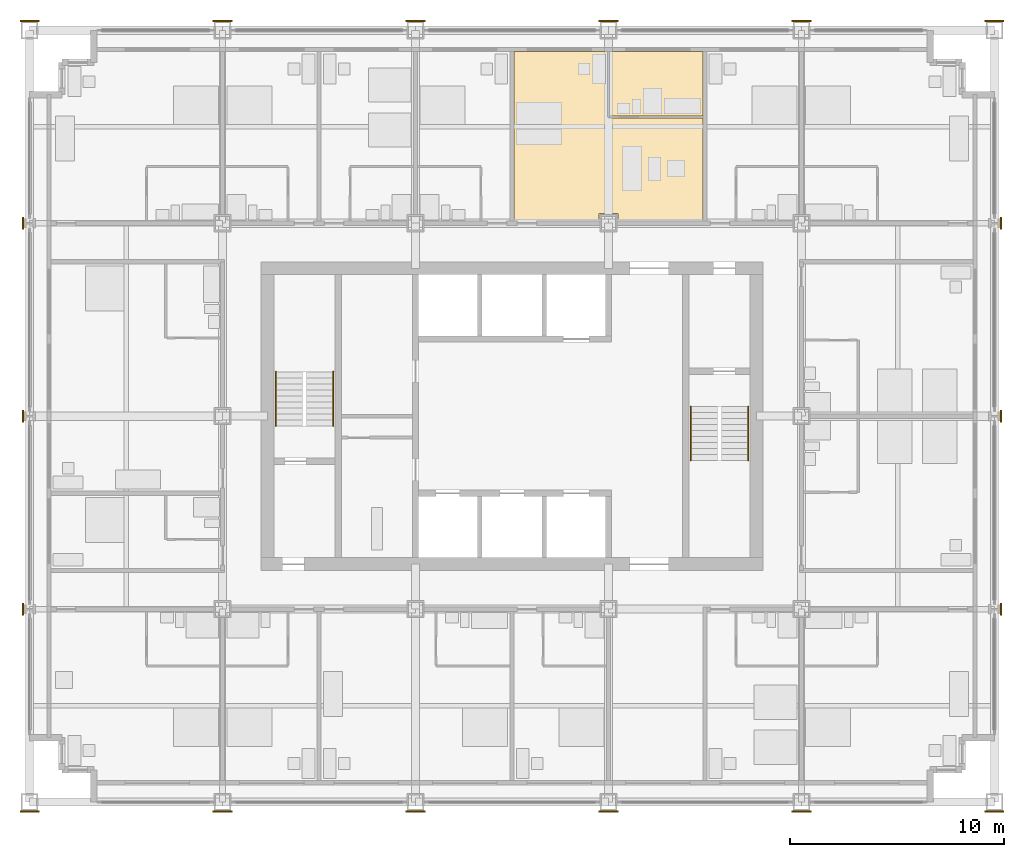
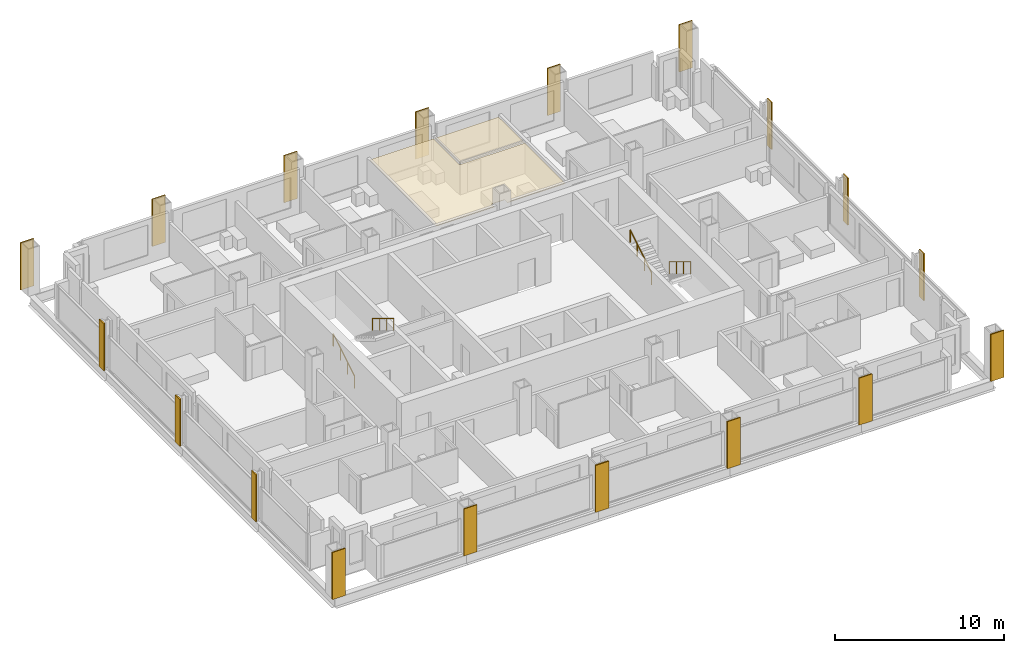
# One storey, part 14 of 16: 20 coverings, 4 railings.
"""IFC4 building model written with IfcOpenShell, lengths in metres."""

from ifc_helpers import new_model, si_unit, direction, frame, origin, origin_2d, place, context, subcontext, project, spatial, polyline, rectangle, circle, outline, extrude, material, layer, layer_set, type_object, element, save


model = new_model("IFC4")

# Units and contexts
model_context = context("Model", 3, precision=1e-05, world=origin(), true_north=direction((0.0, 1.0)))
body_context = subcontext(model_context, "Body", "Model", "MODEL_VIEW")
ifc_project = project(units=[si_unit("LENGTHUNIT", "METRE"), si_unit("AREAUNIT", "SQUARE_METRE"), si_unit("VOLUMEUNIT", "CUBIC_METRE"), si_unit("PLANEANGLEUNIT", "RADIAN"), si_unit("MASSUNIT", "GRAM", prefix="KILO")], contexts=[model_context])

# Site, building, storey
site_placement = place(None, origin())
site = spatial("IfcSite", under=ifc_project, at=site_placement, CompositionType="ELEMENT")
building_placement = place(site_placement, origin())
building = spatial("IfcBuilding", under=site, at=building_placement, Name="Loomwork Tower", CompositionType="ELEMENT")
storey_placement = place(building_placement, frame((0.0, 0.0, 101.0)))
storey = spatial("IfcBuildingStorey", under=building, at=storey_placement, Name="L26", CompositionType="ELEMENT", Elevation=101.0)

# Railings
ifc_material_1 = material(Name="Stainless steel handrail", Category="steel")
railing_type = type_object("IfcRailingType", Name="Handrail 900", PredefinedType="HANDRAIL", material=ifc_material_1)
railing_1_placement = place(storey_placement, frame((11.485107421875, 17.550048828125, 0.169921875)))
element("IfcRailing", 1, at=railing_1_placement, inside=storey, type_object=railing_type, Name="Stair A handrail flight 1 L26", PredefinedType="HANDRAIL", context=body_context, shape_type="SweptSolid", body=[
    extrude(circle(Radius=0.02392578125, at=origin_2d()), frame((0.0, 0.0, 0.8759765625), z_axis=(0.0, 0.85478489116, 0.518982456201), x_axis=(-1.0, 0.0, 0.0)), (0.0, 0.0, 1.0), 2.9482421875),
    extrude(circle(Radius=0.02099609375, at=origin_2d()), origin(), (0.0, 0.0, 1.0), 0.851806640625),
    extrude(circle(Radius=0.02099609375, at=origin_2d()), frame((0.0, 0.840087890625, 0.510009765625)), (0.0, 0.0, 1.0), 0.851806640625),
    extrude(circle(Radius=0.02099609375, at=origin_2d()), frame((0.0, 1.679931640625, 1.02001953125)), (0.0, 0.0, 1.0), 0.851806640625),
    extrude(circle(Radius=0.02099609375, at=origin_2d()), frame((0.0, 2.52001953125, 1.530029296875)), (0.0, 0.0, 1.0), 0.851806640625),
])
railing_2_placement = place(storey_placement, frame((14.1650390625, 20.070068359375, 1.8701171875)))
element("IfcRailing", 2, at=railing_2_placement, inside=storey, type_object=railing_type, Name="Stair A handrail flight 2 L26", PredefinedType="HANDRAIL", context=body_context, shape_type="SweptSolid", body=[
    extrude(circle(Radius=0.02392578125, at=origin_2d()), frame((0.0, 0.0, 0.8759765625), z_axis=(0.0, -0.854821627497, 0.518921945155), x_axis=(1.0, 0.0, 0.0)), (0.0, 0.0, 1.0), 2.947998046875),
    extrude(circle(Radius=0.02099609375, at=origin_2d()), origin(), (0.0, 0.0, 1.0), 0.851806640625),
    extrude(circle(Radius=0.02099609375, at=origin_2d()), frame((0.0, -0.840087890625, 0.510009765625)), (0.0, 0.0, 1.0), 0.851806640625),
    extrude(circle(Radius=0.02099609375, at=origin_2d()), frame((0.0, -1.679931640625, 1.019775390625)), (0.0, 0.0, 1.0), 0.851806640625),
    extrude(circle(Radius=0.02099609375, at=origin_2d()), frame((0.0, -2.52001953125, 1.52978515625)), (0.0, 0.0, 1.0), 0.851806640625),
])
railing_3_placement = place(storey_placement, frame((33.514892578125, 18.449951171875, 0.169921875)))
element("IfcRailing", 3, at=railing_3_placement, inside=storey, type_object=railing_type, Name="Stair B handrail flight 1 L26", PredefinedType="HANDRAIL", context=body_context, shape_type="SweptSolid", body=[
    extrude(circle(Radius=0.02392578125, at=origin_2d()), frame((0.0, 0.0, 0.8759765625), z_axis=(0.0, -0.85478489116, 0.518982456201), x_axis=(1.0, 0.0, 0.0)), (0.0, 0.0, 1.0), 2.9482421875),
    extrude(circle(Radius=0.02099609375, at=origin_2d()), origin(), (0.0, 0.0, 1.0), 0.851806640625),
    extrude(circle(Radius=0.02099609375, at=origin_2d()), frame((0.0, -0.840087890625, 0.510009765625)), (0.0, 0.0, 1.0), 0.851806640625),
    extrude(circle(Radius=0.02099609375, at=origin_2d()), frame((0.0, -1.679931640625, 1.02001953125)), (0.0, 0.0, 1.0), 0.851806640625),
    extrude(circle(Radius=0.02099609375, at=origin_2d()), frame((0.0, -2.52001953125, 1.530029296875)), (0.0, 0.0, 1.0), 0.851806640625),
])
railing_4_placement = place(storey_placement, frame((30.8349609375, 15.929931640625, 1.8701171875)))
element("IfcRailing", 4, at=railing_4_placement, inside=storey, type_object=railing_type, Name="Stair B handrail flight 2 L26", PredefinedType="HANDRAIL", context=body_context, shape_type="SweptSolid", body=[
    extrude(circle(Radius=0.02392578125, at=origin_2d()), frame((0.0, 0.0, 0.8759765625), z_axis=(0.0, 0.854821627497, 0.518921945155), x_axis=(-1.0, 0.0, 0.0)), (0.0, 0.0, 1.0), 2.947998046875),
    extrude(circle(Radius=0.02099609375, at=origin_2d()), origin(), (0.0, 0.0, 1.0), 0.851806640625),
    extrude(circle(Radius=0.02099609375, at=origin_2d()), frame((0.0, 0.840087890625, 0.510009765625)), (0.0, 0.0, 1.0), 0.851806640625),
    extrude(circle(Radius=0.02099609375, at=origin_2d()), frame((0.0, 1.679931640625, 1.019775390625)), (0.0, 0.0, 1.0), 0.851806640625),
    extrude(circle(Radius=0.02099609375, at=origin_2d()), frame((0.0, 2.52001953125, 1.52978515625)), (0.0, 0.0, 1.0), 0.851806640625),
])

# Coverings
ifc_material_2 = material(Name="Limestone", Category="masonry")
ifc_layer_1 = layer(ifc_material_2, 0.080078125)
ifc_layer_set_1 = layer_set([ifc_layer_1], Name="Limestone pier facing 80")
covering_type_1 = type_object("IfcCoveringType", Name="Limestone pier facing 80", PredefinedType="CLADDING", material=ifc_layer_set_1)
covering_1_placement = place(storey_placement, frame((0.0, -0.43994140625, 0.0), z_axis=(0.0, 0.0, 1.0), x_axis=(1.0, 0.0, 0.0)))
element("IfcCovering", 5, at=covering_1_placement, inside=storey, type_object=covering_type_1, Name="Pier facing D/2 L26", PredefinedType="CLADDING", context=body_context, shape_type="SweptSolid", body=[
    extrude(rectangle(XDim=0.89990234375, YDim=0.080078125, at=origin_2d()), origin(), (0.0, 0.0, 1.0), 3.39990234375),
])
for number, where, z_axis, x_axis, name in (
    (6, (-0.314208984375, 9.0, 0.0), (0.0, 0.0, 1.0), (1.0, 0.0, 0.0), "Pier facing E/2 L26"),
    (7, (-0.314208984375, 18.0, 0.0), (0.0, 0.0, 1.0), (1.0, 0.0, 0.0), "Pier facing F/2 L26"),
    (8, (-0.314208984375, 27.0, 0.0), (0.0, 0.0, 1.0), (1.0, 0.0, 0.0), "Pier facing G/2 L26"),
):
    element("IfcCovering", number, at=place(storey_placement, frame(where, z_axis=z_axis, x_axis=x_axis)), inside=storey, type_object=covering_type_1, Name=name, PredefinedType="CLADDING", context=body_context, shape_type="SweptSolid", body=[
        extrude(rectangle(XDim=0.080078125, YDim=0.549560546875, at=origin_2d()), origin(), (0.0, 0.0, 1.0), 3.39990234375),
    ])
for number, where, z_axis, x_axis, name in (
    (9, (0.0, 36.43994140625, 0.0), (0.0, 0.0, 1.0), (1.0, 0.0, 0.0), "Pier facing H/2 L26"),
    (10, (9.0, -0.43994140625, 0.0), (0.0, 0.0, 1.0), (1.0, 0.0, 0.0), "Pier facing D/3 L26"),
    (11, (9.0, 36.43994140625, 0.0), (0.0, 0.0, 1.0), (1.0, 0.0, 0.0), "Pier facing H/3 L26"),
    (12, (18.0, -0.43994140625, 0.0), (0.0, 0.0, 1.0), (1.0, 0.0, 0.0), "Pier facing D/4 L26"),
    (13, (18.0, 36.43994140625, 0.0), (0.0, 0.0, 1.0), (1.0, 0.0, 0.0), "Pier facing H/4 L26"),
    (14, (27.0, -0.43994140625, 0.0), (0.0, 0.0, 1.0), (1.0, 0.0, 0.0), "Pier facing D/5 L26"),
    (15, (27.0, 36.43994140625, 0.0), (0.0, 0.0, 1.0), (1.0, 0.0, 0.0), "Pier facing H/5 L26"),
    (16, (36.0, -0.43994140625, 0.0), (0.0, 0.0, 1.0), (1.0, 0.0, 0.0), "Pier facing D/6 L26"),
    (17, (36.0, 36.43994140625, 0.0), (0.0, 0.0, 1.0), (1.0, 0.0, 0.0), "Pier facing H/6 L26"),
    (18, (45.0, -0.43994140625, 0.0), (0.0, 0.0, 1.0), (1.0, 0.0, 0.0), "Pier facing D/7 L26"),
):
    element("IfcCovering", number, at=place(storey_placement, frame(where, z_axis=z_axis, x_axis=x_axis)), inside=storey, type_object=covering_type_1, Name=name, PredefinedType="CLADDING", context=body_context, shape_type="SweptSolid", body=[
        extrude(rectangle(XDim=0.89990234375, YDim=0.080078125, at=origin_2d()), origin(), (0.0, 0.0, 1.0), 3.39990234375),
    ])
for number, where, z_axis, x_axis, name in (
    (19, (45.314208984375, 9.0, 0.0), (0.0, 0.0, 1.0), (1.0, 0.0, 0.0), "Pier facing E/7 L26"),
    (20, (45.314208984375, 18.0, 0.0), (0.0, 0.0, 1.0), (1.0, 0.0, 0.0), "Pier facing F/7 L26"),
    (21, (45.314208984375, 27.0, 0.0), (0.0, 0.0, 1.0), (1.0, 0.0, 0.0), "Pier facing G/7 L26"),
):
    element("IfcCovering", number, at=place(storey_placement, frame(where, z_axis=z_axis, x_axis=x_axis)), inside=storey, type_object=covering_type_1, Name=name, PredefinedType="CLADDING", context=body_context, shape_type="SweptSolid", body=[
        extrude(rectangle(XDim=0.080078125, YDim=0.549560546875, at=origin_2d()), origin(), (0.0, 0.0, 1.0), 3.39990234375),
    ])
covering_2_placement = place(storey_placement, frame((45.0, 36.43994140625, 0.0), z_axis=(0.0, 0.0, 1.0), x_axis=(1.0, 0.0, 0.0)))
element("IfcCovering", 22, at=covering_2_placement, inside=storey, type_object=covering_type_1, Name="Pier facing H/7 L26", PredefinedType="CLADDING", context=body_context, shape_type="SweptSolid", body=[
    extrude(rectangle(XDim=0.89990234375, YDim=0.080078125, at=origin_2d()), origin(), (0.0, 0.0, 1.0), 3.39990234375),
])
ifc_material_3 = material(Name="Mineral fibre acoustic tile on suspension grid")
ifc_layer_2 = layer(ifc_material_3, 0.02490234375)
ifc_layer_set_2 = layer_set([ifc_layer_2], Name="Suspended acoustic ceiling")
covering_type_2 = type_object("IfcCoveringType", Name="Suspended acoustic ceiling", PredefinedType="CEILING", material=ifc_layer_set_2)
covering_3_placement = place(storey_placement, frame((0.0, 0.0, 2.175048828125)))
element("IfcCovering", 23, at=covering_3_placement, inside=storey, type_object=covering_type_2, Name="Ceiling Spa bathroom L26", PredefinedType="CEILING", context=body_context, shape_type="SweptSolid", body=[
    extrude(outline(polyline([(27.050048828125, 35.0), (31.39990234375, 35.0), (31.39990234375, 32.0), (27.050048828125, 32.0), (27.050048828125, 35.0)])), origin(), (0.0, 0.0, 1.0), 0.02490234375),
])
covering_4_placement = place(storey_placement, frame((0.0, 0.0, 2.175048828125)))
element("IfcCovering", 24, at=covering_4_placement, inside=storey, type_object=covering_type_2, Name="Ceiling Spa suite L26", PredefinedType="CEILING", context=body_context, shape_type="SweptSolid", body=[
    extrude(outline(polyline([(22.60009765625, 35.0), (26.949951171875, 35.0), (26.949951171875, 31.89990234375), (31.39990234375, 31.89990234375), (31.39990234375, 27.10009765625), (27.449951171875, 27.10009765625), (27.449951171875, 27.449951171875), (26.550048828125, 27.449951171875), (26.550048828125, 27.10009765625), (22.60009765625, 27.10009765625), (22.60009765625, 35.0)])), origin(), (0.0, 0.0, 1.0), 0.02490234375),
])

save(model, "model.ifc")
